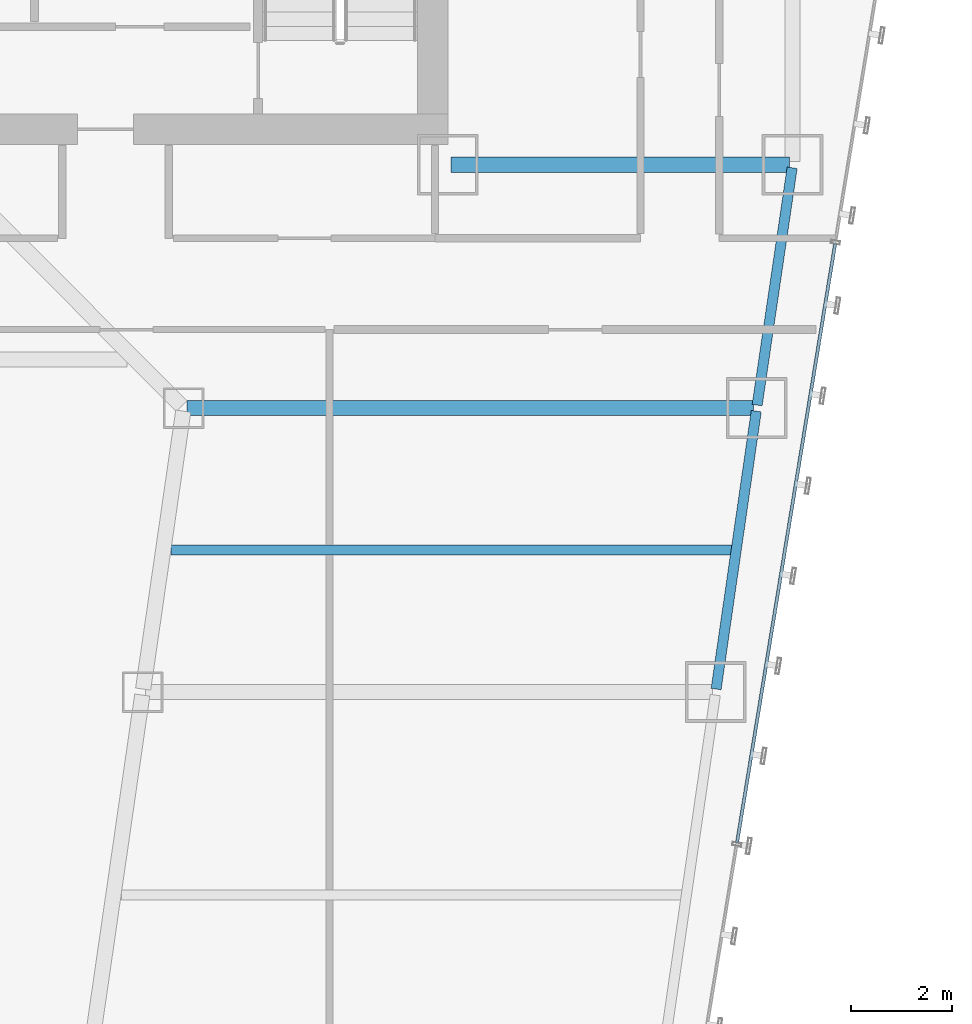
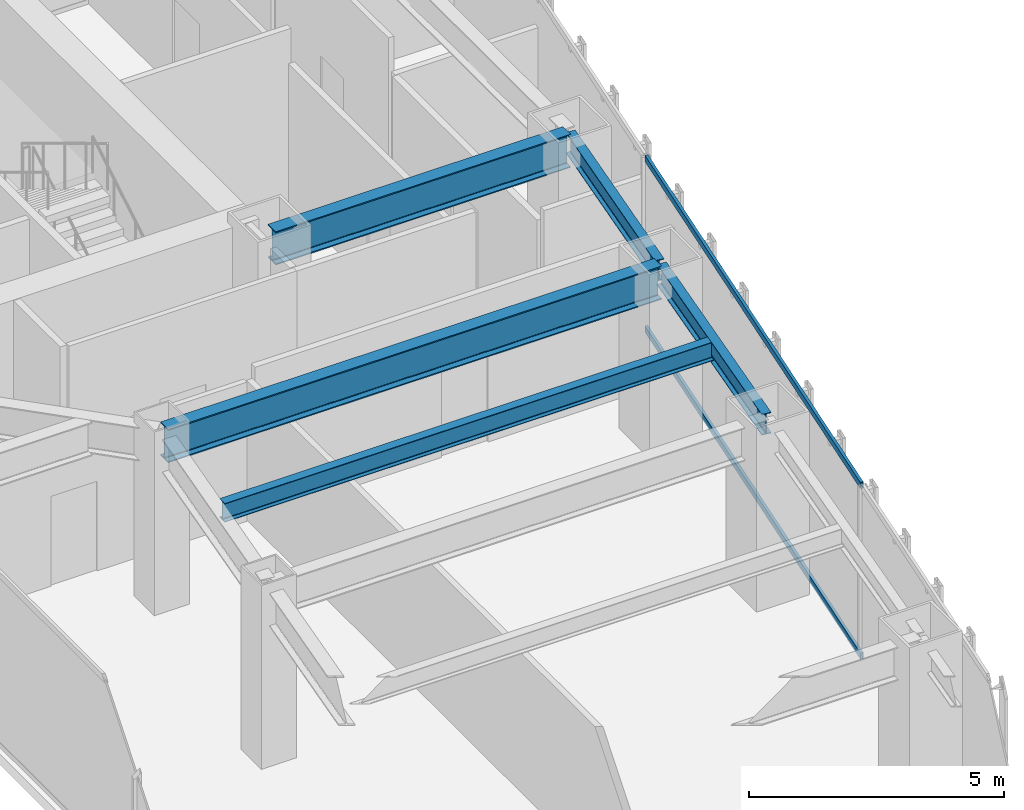
# One storey, part 30 of 47: 5 beams, 2 members, 1 element without a shape of its own.
"""IFC4 building model written with IfcOpenShell, lengths in metres."""

from ifc_helpers import new_model, si_unit, direction, frame, origin, origin_2d, place, context, subcontext, project, spatial, hollow_rectangle, i_section, extrude, material, material_profile, profile_set, type_object, element, aggregate, save


model = new_model("IFC4")

# Units and contexts
model_context = context("Model", 3, precision=1e-05, world=origin(), true_north=direction((0.0, 1.0)))
body_context = subcontext(model_context, "Body", "Model", "MODEL_VIEW")
ifc_project = project(units=[si_unit("LENGTHUNIT", "METRE"), si_unit("AREAUNIT", "SQUARE_METRE"), si_unit("VOLUMEUNIT", "CUBIC_METRE"), si_unit("PLANEANGLEUNIT", "RADIAN"), si_unit("MASSUNIT", "GRAM", prefix="KILO")], contexts=[model_context])

# Site, building, storey
site_placement = place(None, origin())
site = spatial("IfcSite", under=ifc_project, at=site_placement, CompositionType="ELEMENT")
building_placement = place(site_placement, origin())
building = spatial("IfcBuilding", under=site, at=building_placement, Name="Saevonmaru Cultural Tower", CompositionType="ELEMENT")
storey_placement = place(building_placement, frame((0.0, 0.0, 51.60009765625)))
storey = spatial("IfcBuildingStorey", under=building, at=storey_placement, Name="L10", CompositionType="ELEMENT", Elevation=51.60009765625)

# Beams
ifc_material_1 = material(Name="Steel SM420", Category="steel")
ifc_material_profile_1 = material_profile(ifc_material_1, i_section(OverallWidth=0.300048828125, OverallDepth=0.800048828125, WebThickness=0.013916015625, FlangeThickness=0.02587890625, FilletRadius=0.028076171875, at=origin_2d()), Name="H-800x300x14x26")
ifc_profile_set_1 = profile_set([ifc_material_profile_1], Name="Steel SM420")
beam_type_1 = type_object("IfcBeamType", Name="BM-G-H800", PredefinedType="BEAM", material=ifc_profile_set_1)
beam_1_placement = place(storey_placement, frame((46.4599609375, 42.39990234375, 3.75), z_axis=(1.0, 0.0, 0.0), x_axis=(0.0, 1.0, 0.0)))
element("IfcBeam", 1, at=beam_1_placement, inside=storey, type_object=beam_type_1, Name="L10 Core South Girder 5", PredefinedType="BEAM", context=body_context, shape_type="SweptSolid", body=[
    extrude(i_section(OverallWidth=0.300048828125, OverallDepth=0.800048828125, WebThickness=0.013916015625, FlangeThickness=0.02587890625, FilletRadius=0.028076171875, at=origin_2d()), origin(), (0.0, 0.0, 1.0), 6.679931640625),
])
beam_2_placement = place(storey_placement, frame((41.251953125, 37.60009765625, 3.75), z_axis=(1.0, 0.0, 0.0), x_axis=(0.0, 1.0, 0.0)))
element("IfcBeam", 2, at=beam_2_placement, inside=storey, type_object=beam_type_1, Name="L10 East Wing Transverse Girder 6", PredefinedType="BEAM", context=body_context, shape_type="SweptSolid", body=[
    extrude(i_section(OverallWidth=0.300048828125, OverallDepth=0.800048828125, WebThickness=0.013916015625, FlangeThickness=0.02587890625, FilletRadius=0.028076171875, at=origin_2d()), origin(), (0.0, 0.0, 1.0), 11.179931640625),
])
ifc_material_2 = material(Name="Steel SM355", Category="steel")
ifc_material_profile_2 = material_profile(ifc_material_2, i_section(OverallWidth=0.199951171875, OverallDepth=0.449951171875, WebThickness=0.009033203125, FlangeThickness=0.013916015625, FilletRadius=0.01806640625, at=origin_2d()), Name="H-450x200x9x14")
ifc_profile_set_2 = profile_set([ifc_material_profile_2], Name="Steel SM355")
beam_type_2 = type_object("IfcBeamType", Name="BM-J-H450", PredefinedType="JOIST", material=ifc_profile_set_2)
beam_3_placement = place(storey_placement, frame((40.945556640625, 34.800048828125, 3.9248046875), z_axis=(1.0, 0.0, 0.0), x_axis=(0.0, 1.0, 0.0)))
element("IfcBeam", 3, at=beam_3_placement, inside=storey, type_object=beam_type_2, Name="L10 East Wing Floor Joist 5", PredefinedType="JOIST", context=body_context, shape_type="SweptSolid", body=[
    extrude(i_section(OverallWidth=0.199951171875, OverallDepth=0.449951171875, WebThickness=0.009033203125, FlangeThickness=0.013916015625, FilletRadius=0.01806640625, at=origin_2d()), origin(), (0.0, 0.0, 1.0), 11.08203125),
])
ifc_material_profile_3 = material_profile(ifc_material_2, i_section(OverallWidth=0.199951171875, OverallDepth=0.5, WebThickness=0.010009765625, FlangeThickness=0.01611328125, FilletRadius=0.02001953125, at=origin_2d()), Name="H-500x200x10x16")
ifc_profile_set_3 = profile_set([ifc_material_profile_3], Name="Steel SM355")
beam_type_3 = type_object("IfcBeamType", Name="BM-SP-H500", PredefinedType="SPANDREL", material=ifc_profile_set_3)
beam_4_placement = place(storey_placement, frame((51.691650390625, 32.059326171875, 3.89990234375), z_axis=(0.142964121327, 0.989727871697, 0.0), x_axis=(-0.989727871697, 0.142964121327, 0.0)))
element("IfcBeam", 4, at=beam_4_placement, inside=storey, type_object=beam_type_3, Name="L10 East Splayed Spandrel 5", PredefinedType="SPANDREL", context=body_context, shape_type="SweptSolid", body=[
    extrude(i_section(OverallWidth=0.199951171875, OverallDepth=0.5, WebThickness=0.010009765625, FlangeThickness=0.01611328125, FilletRadius=0.02001953125, at=origin_2d()), origin(), (0.0, 0.0, 1.0), 5.5380859375),
])
beam_5_placement = place(storey_placement, frame((52.500732421875, 37.659423828125, 3.89990234375), z_axis=(0.145912860028, 0.989297446312, 0.0), x_axis=(-0.989297446312, 0.145912860028, 0.0)))
element("IfcBeam", 5, at=beam_5_placement, inside=storey, type_object=beam_type_3, Name="L10 East Splayed Spandrel 6", PredefinedType="SPANDREL", context=body_context, shape_type="SweptSolid", body=[
    extrude(i_section(OverallWidth=0.199951171875, OverallDepth=0.5, WebThickness=0.010009765625, FlangeThickness=0.01611328125, FilletRadius=0.02001953125, at=origin_2d()), origin(), (0.0, 0.0, 1.0), 4.731689453125),
])

# Curtain wall, members
ifc_material_3 = material(Name="Satin Bronze Anodised Aluminium", Category="aluminium")
curtain_wall_type = type_object("IfcCurtainWallType", Name="CW-TYP-A", PredefinedType="NOTDEFINED", material=ifc_material_3)
curtain_wall_placement = place(storey_placement, origin())
curtain_wall = element("IfcCurtainWall", 6, at=curtain_wall_placement, inside=storey, type_object=curtain_wall_type, Name="L10 Unitised Curtain Wall E8", PredefinedType="NOTDEFINED")
ifc_material_profile_4 = material_profile(ifc_material_3, hollow_rectangle(XDim=0.06494140625, YDim=0.14990234375, WallThickness=0.00390625, at=origin_2d()), Name="ALU-TRAN-150x65x4")
ifc_profile_set_4 = profile_set([ifc_material_profile_4], Name="Satin Bronze Anodised Aluminium")
member_type = type_object("IfcMemberType", Name="TR-CW-150x65", PredefinedType="USERDEFINED", material=ifc_profile_set_4)
member_1_placement = place(storey_placement, frame((52.105224609375, 29.031982421875, 0.032470703125), z_axis=(0.161701400727, 0.986839732177, 0.0), x_axis=(-0.986839732177, 0.161701400727, 0.0)))
member_1 = element("IfcMember", 7, at=member_1_placement, type_object=member_type, Name="CW-TW-L10-E8 transom 3.1", ObjectType="TRANSOM", PredefinedType="USERDEFINED", context=body_context, shape_type="SweptSolid", body=[
    extrude(hollow_rectangle(XDim=0.06494140625, YDim=0.14990234375, WallThickness=0.00390625, at=origin_2d()), origin(), (0.0, 0.0, 1.0), 11.9638671875),
])
member_2_placement = place(storey_placement, frame((52.105224609375, 29.031982421875, 4.117431640625), z_axis=(0.161701400727, 0.986839732177, 0.0), x_axis=(-0.986839732177, 0.161701400727, 0.0)))
member_2 = element("IfcMember", 8, at=member_2_placement, type_object=member_type, Name="CW-TW-L10-E8 transom 3.2", ObjectType="TRANSOM", PredefinedType="USERDEFINED", context=body_context, shape_type="SweptSolid", body=[
    extrude(hollow_rectangle(XDim=0.06494140625, YDim=0.14990234375, WallThickness=0.00390625, at=origin_2d()), origin(), (0.0, 0.0, 1.0), 11.9638671875),
])
aggregate(curtain_wall, [member_1, member_2])

save(model, "model.ifc")
